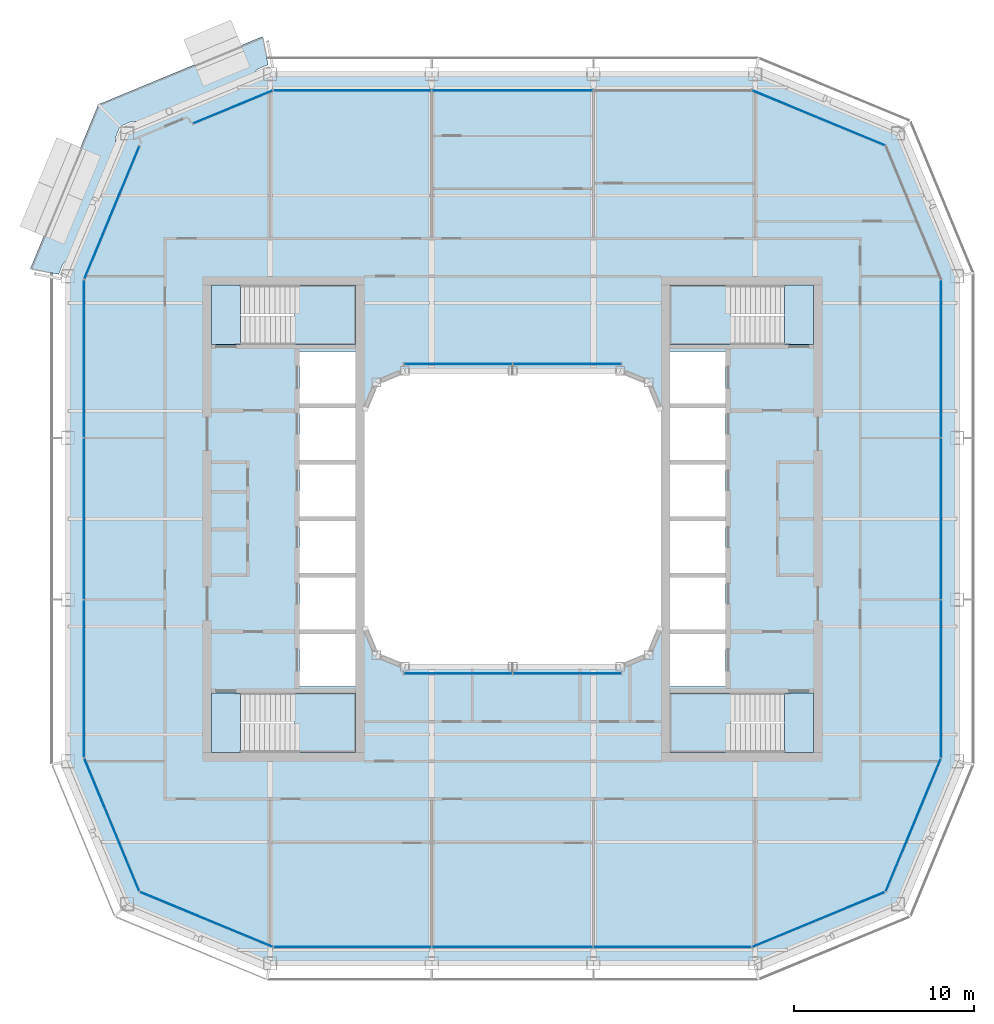
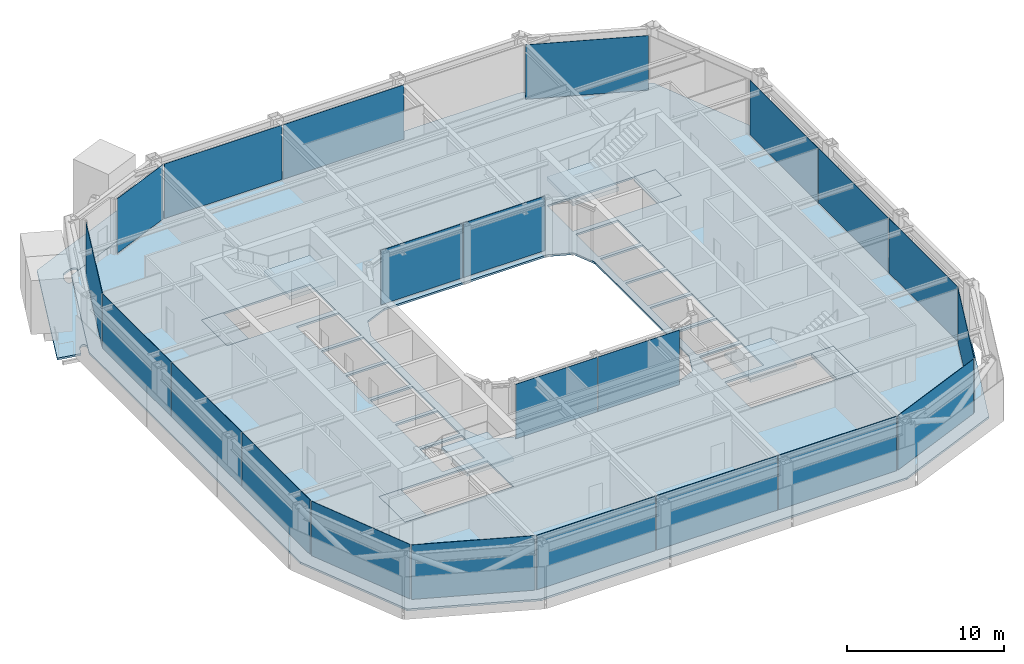
# One storey, part 10 of 21: 22 plates, 10 slabs, 17 elements without a shape of their own.
"""IFC4 building model written with IfcOpenShell, lengths in metres."""

from ifc_helpers import new_model, si_unit, direction, frame, origin, origin_2d, place, context, subcontext, project, spatial, polyline, rectangle, outline, extrude, material, layer, layer_set, type_object, element, aggregate, save


model = new_model("IFC4")

# Units and contexts
model_context = context("Model", 3, precision=1e-05, world=origin(), true_north=direction((0.0, 1.0)))
body_context = subcontext(model_context, "Body", "Model", "MODEL_VIEW")
ifc_project = project(units=[si_unit("LENGTHUNIT", "METRE"), si_unit("AREAUNIT", "SQUARE_METRE"), si_unit("VOLUMEUNIT", "CUBIC_METRE"), si_unit("PLANEANGLEUNIT", "RADIAN"), si_unit("MASSUNIT", "GRAM", prefix="KILO")], contexts=[model_context])

# Site, building, storey
site_placement = place(None, origin())
site = spatial("IfcSite", under=ifc_project, at=site_placement, CompositionType="ELEMENT")
building_placement = place(site_placement, origin())
building = spatial("IfcBuilding", under=site, at=building_placement, Name="Siwar Civic Tower", CompositionType="ELEMENT")
storey_placement = place(building_placement, frame((0.0, 0.0, 312.199951171875)))
storey = spatial("IfcBuildingStorey", under=building, at=storey_placement, Name="L67", CompositionType="ELEMENT", Elevation=312.199951171875)

# Stair, slabs
ifc_material_1 = material(Name="Concrete C40/50", Category="concrete")
stair_type = type_object("IfcStairType", Name="CORE-STAIR", PredefinedType="TWO_STRAIGHT_RUN_STAIR", material=ifc_material_1)
stair_1_placement = place(storey_placement, origin())
stair_1 = element("IfcStair", 1, at=stair_1_placement, inside=storey, type_object=stair_type, Name="Exit stair ST1", PredefinedType="TWO_STRAIGHT_RUN_STAIR")
ifc_material_2 = material(Name="Concrete C40/50", Category="concrete")
ifc_layer_1 = layer(ifc_material_2, 0.300048828125)
ifc_layer_set_1 = layer_set([ifc_layer_1], Name="Concrete C40/50")
slab_type_1 = type_object("IfcSlabType", Name="CORE-STAIR-LANDING", PredefinedType="LANDING", material=ifc_layer_set_1)
slab_1_placement = place(storey_placement, frame((0.0, 0.0, -0.300048828125)))
slab_1 = element("IfcSlab", 2, at=slab_1_placement, type_object=slab_type_1, Name="ST1 landing 1", PredefinedType="LANDING", context=body_context, shape_type="SweptSolid", body=[
    extrude(outline(polyline([(-15.14990234375, 13.0), (-16.75, 13.0), (-16.75, 9.699951171875), (-15.14990234375, 9.699951171875), (-15.14990234375, 13.0)])), origin(), (0.0, 0.0, 1.0), 0.300048828125),
])
slab_2_placement = place(storey_placement, frame((0.0, 0.0, 1.949951171875)))
slab_2 = element("IfcSlab", 3, at=slab_2_placement, type_object=slab_type_1, Name="ST1 landing 2", PredefinedType="LANDING", context=body_context, shape_type="SweptSolid", body=[
    extrude(outline(polyline([(-8.75, 13.0), (-12.139892578125, 13.0), (-12.139892578125, 9.699951171875), (-8.75, 9.699951171875), (-8.75, 13.0)])), origin(), (0.0, 0.0, 1.0), 0.300048828125),
])
aggregate(stair_1, [slab_1, slab_2])

stair_2_placement = place(storey_placement, origin())
stair_2 = element("IfcStair", 4, at=stair_2_placement, inside=storey, type_object=stair_type, Name="Exit stair ST2", PredefinedType="TWO_STRAIGHT_RUN_STAIR")
slab_3_placement = place(storey_placement, frame((0.0, 0.0, -0.300048828125)))
slab_3 = element("IfcSlab", 5, at=slab_3_placement, type_object=slab_type_1, Name="ST2 landing 1", PredefinedType="LANDING", context=body_context, shape_type="SweptSolid", body=[
    extrude(outline(polyline([(-15.14990234375, -9.699951171875), (-16.75, -9.699951171875), (-16.75, -13.0), (-15.14990234375, -13.0), (-15.14990234375, -9.699951171875)])), origin(), (0.0, 0.0, 1.0), 0.300048828125),
])
slab_4_placement = place(storey_placement, frame((0.0, 0.0, 1.949951171875)))
slab_4 = element("IfcSlab", 6, at=slab_4_placement, type_object=slab_type_1, Name="ST2 landing 2", PredefinedType="LANDING", context=body_context, shape_type="SweptSolid", body=[
    extrude(outline(polyline([(-8.75, -9.699951171875), (-12.139892578125, -9.699951171875), (-12.139892578125, -13.0), (-8.75, -13.0), (-8.75, -9.699951171875)])), origin(), (0.0, 0.0, 1.0), 0.300048828125),
])
aggregate(stair_2, [slab_3, slab_4])

stair_3_placement = place(storey_placement, origin())
stair_3 = element("IfcStair", 7, at=stair_3_placement, inside=storey, type_object=stair_type, Name="Exit stair ST3", PredefinedType="TWO_STRAIGHT_RUN_STAIR")
slab_5_placement = place(storey_placement, frame((0.0, 0.0, -0.300048828125)))
slab_5 = element("IfcSlab", 8, at=slab_5_placement, type_object=slab_type_1, Name="ST3 landing 1", PredefinedType="LANDING", context=body_context, shape_type="SweptSolid", body=[
    extrude(outline(polyline([(15.14990234375, 9.699951171875), (16.75, 9.699951171875), (16.75, 13.0), (15.14990234375, 13.0), (15.14990234375, 9.699951171875)])), origin(), (0.0, 0.0, 1.0), 0.300048828125),
])
slab_6_placement = place(storey_placement, frame((0.0, 0.0, 1.949951171875)))
slab_6 = element("IfcSlab", 9, at=slab_6_placement, type_object=slab_type_1, Name="ST3 landing 2", PredefinedType="LANDING", context=body_context, shape_type="SweptSolid", body=[
    extrude(outline(polyline([(8.75, 9.699951171875), (12.139892578125, 9.699951171875), (12.139892578125, 13.0), (8.75, 13.0), (8.75, 9.699951171875)])), origin(), (0.0, 0.0, 1.0), 0.300048828125),
])
aggregate(stair_3, [slab_5, slab_6])

stair_4_placement = place(storey_placement, origin())
stair_4 = element("IfcStair", 10, at=stair_4_placement, inside=storey, type_object=stair_type, Name="Exit stair ST4", PredefinedType="TWO_STRAIGHT_RUN_STAIR")
slab_7_placement = place(storey_placement, frame((0.0, 0.0, -0.300048828125)))
slab_7 = element("IfcSlab", 11, at=slab_7_placement, type_object=slab_type_1, Name="ST4 landing 1", PredefinedType="LANDING", context=body_context, shape_type="SweptSolid", body=[
    extrude(outline(polyline([(15.14990234375, -13.0), (16.75, -13.0), (16.75, -9.699951171875), (15.14990234375, -9.699951171875), (15.14990234375, -13.0)])), origin(), (0.0, 0.0, 1.0), 0.300048828125),
])
slab_8_placement = place(storey_placement, frame((0.0, 0.0, 1.949951171875)))
slab_8 = element("IfcSlab", 12, at=slab_8_placement, type_object=slab_type_1, Name="ST4 landing 2", PredefinedType="LANDING", context=body_context, shape_type="SweptSolid", body=[
    extrude(outline(polyline([(8.75, -13.0), (12.139892578125, -13.0), (12.139892578125, -9.699951171875), (8.75, -9.699951171875), (8.75, -13.0)])), origin(), (0.0, 0.0, 1.0), 0.300048828125),
])
aggregate(stair_4, [slab_7, slab_8])

# Slab
ifc_material_3 = material(Name="Concrete C40/50", Category="concrete")
ifc_layer_2 = layer(ifc_material_3, 0.14990234375)
ifc_layer_set_2 = layer_set([ifc_layer_2], Name="Concrete C40/50")
slab_type_2 = type_object("IfcSlabType", Name="ENV-BALCONY DECK 150", PredefinedType="FLOOR", material=ifc_layer_set_2)
slab_9_placement = place(storey_placement, frame((0.0, 0.0, -0.1494140625)))
element("IfcSlab", 13, at=slab_9_placement, inside=storey, type_object=slab_type_2, Name="Tree balcony deck NW", PredefinedType="FLOOR", context=body_context, shape_type="SweptSolid", body=[
    extrude(outline(polyline([(-21.743896484375, 21.88623046875), (-21.738525390625, 21.888671875), (-21.738525390625, 21.888671875), (-21.72216796875, 21.8955078125), (-21.5908203125, 21.949951171875), (-21.43505859375, 22.014892578125), (-21.3857421875, 22.035400390625), (-21.369384765625, 22.042236328125), (-21.367431640625, 22.04296875), (-21.306396484375, 22.06640625), (-21.3017578125, 22.068115234375), (-21.247802734375, 22.0849609375), (-21.243408203125, 22.086181640625), (-21.1884765625, 22.099853515625), (-21.181396484375, 22.101318359375), (-21.134033203125, 22.108154296875), (-21.1328125, 22.1083984375), (-21.07666015625, 22.11572265625), (-21.070068359375, 22.1162109375), (-21.0634765625, 22.1162109375), (-20.975830078125, 22.112060546875), (-20.965087890625, 22.11083984375), (-20.92578125, 22.103271484375), (-20.91796875, 22.101318359375), (-20.910400390625, 22.0986328125), (-20.8798828125, 22.08544921875), (-20.875732421875, 22.08349609375), (-20.84619140625, 22.068603515625), (-20.839599609375, 22.06494140625), (-20.833251953125, 22.060546875), (-20.82763671875, 22.055419921875), (-20.80712890625, 22.03564453125), (-20.802490234375, 22.030517578125), (-20.798095703125, 22.02490234375), (-20.794189453125, 22.01904296875), (-20.791015625, 22.0126953125), (-20.780029296875, 21.988525390625), (-20.7783203125, 21.984375), (-20.76904296875, 21.959716796875), (-20.7666015625, 21.952880859375), (-20.76513671875, 21.946044921875), (-20.76416015625, 21.93896484375), (-20.763916015625, 21.931884765625), (-20.764404296875, 21.903564453125), (-20.764892578125, 21.89599609375), (-20.76611328125, 21.888427734375), (-20.76806640625, 21.881103515625), (-20.778564453125, 21.849609375), (-20.780029296875, 21.845458984375), (-20.792236328125, 21.814453125), (-20.795654296875, 21.80712890625), (-20.7998046875, 21.800048828125), (-20.822021484375, 21.766845703125), (-20.82861328125, 21.758544921875), (-20.887451171875, 21.693359375), (-20.89208984375, 21.688720703125), (-20.8935546875, 21.6875), (-14.063720703125, 24.516357421875), (-14.103759765625, 24.51123046875), (-14.1103515625, 24.5107421875), (-14.116943359375, 24.5107421875), (-14.20458984375, 24.514892578125), (-14.21533203125, 24.51611328125), (-14.254638671875, 24.523681640625), (-14.262451171875, 24.525634765625), (-14.27001953125, 24.5283203125), (-14.300537109375, 24.54150390625), (-14.3046875, 24.54345703125), (-14.33447265625, 24.558349609375), (-14.341064453125, 24.56201171875), (-14.34716796875, 24.56640625), (-14.352783203125, 24.571533203125), (-14.373291015625, 24.591064453125), (-14.378173828125, 24.596435546875), (-14.382568359375, 24.601806640625), (-14.38623046875, 24.60791015625), (-14.389404296875, 24.6142578125), (-14.400390625, 24.638427734375), (-14.402099609375, 24.642578125), (-14.41162109375, 24.667236328125), (-14.413818359375, 24.674072265625), (-14.415283203125, 24.680908203125), (-14.416259765625, 24.68798828125), (-14.41650390625, 24.695068359375), (-14.416015625, 24.723388671875), (-14.41552734375, 24.73095703125), (-14.414306640625, 24.738525390625), (-14.412353515625, 24.745849609375), (-14.402099609375, 24.77734375), (-14.400634765625, 24.781494140625), (-14.388427734375, 24.8125), (-14.385009765625, 24.81982421875), (-14.380859375, 24.82666015625), (-14.3583984375, 24.860107421875), (-14.351806640625, 24.868408203125), (-14.29296875, 24.93359375), (-14.288330078125, 24.938232421875), (-14.283203125, 24.942626953125), (-14.238525390625, 24.977294921875), (-14.237548828125, 24.97802734375), (-14.19921875, 25.006591796875), (-14.193115234375, 25.0107421875), (-14.144775390625, 25.0400390625), (-14.140869140625, 25.042236328125), (-14.0908203125, 25.068603515625), (-14.08642578125, 25.07080078125), (-14.02685546875, 25.09765625), (-14.02490234375, 25.098388671875), (-14.0166015625, 25.101806640625), (-13.9755859375, 25.118896484375), (-13.795166015625, 25.194091796875), (-13.713134765625, 25.22802734375), (-13.68017578125, 25.24169921875), (-13.65576171875, 25.251953125), (-13.65576171875, 25.251953125), (-13.65576171875, 25.251953125), (-13.65576171875, 25.251953125), (-13.65576171875, 25.251953125), (-13.64794921875, 25.2548828125), (-13.632568359375, 25.25927734375), (-13.625, 25.260986328125), (-13.616943359375, 25.26220703125), (-13.60205078125, 25.26318359375), (-13.917724609375, 26.85009765625), (-23.062255859375, 23.062255859375), (-26.85009765625, 13.917724609375), (-25.2607421875, 13.6015625), (-25.2607421875, 13.61376953125), (-25.2607421875, 13.620361328125), (-25.259765625, 13.627197265625), (-25.258544921875, 13.6337890625), (-25.25537109375, 13.6455078125), (-25.251953125, 13.65576171875), (-25.24169921875, 13.68017578125), (-25.22802734375, 13.713134765625), (-25.194091796875, 13.795166015625), (-25.118896484375, 13.9755859375), (-25.101806640625, 14.0166015625), (-25.098388671875, 14.02490234375), (-25.09765625, 14.02685546875), (-25.07080078125, 14.08642578125), (-25.068603515625, 14.0908203125), (-25.042236328125, 14.140869140625), (-25.0400390625, 14.144775390625), (-25.0107421875, 14.193115234375), (-25.006591796875, 14.19921875), (-24.97802734375, 14.237548828125), (-24.977294921875, 14.238525390625), (-24.942626953125, 14.283203125), (-24.938232421875, 14.288330078125), (-24.93359375, 14.29296875), (-24.868408203125, 14.351806640625), (-24.860107421875, 14.3583984375), (-24.82666015625, 14.380859375), (-24.81982421875, 14.385009765625), (-24.8125, 14.388427734375), (-24.781494140625, 14.400634765625), (-24.77734375, 14.402099609375), (-24.745849609375, 14.412353515625), (-24.738525390625, 14.414306640625), (-24.73095703125, 14.41552734375), (-24.723388671875, 14.416015625), (-24.695068359375, 14.41650390625), (-24.68798828125, 14.416259765625), (-24.680908203125, 14.415283203125), (-24.674072265625, 14.413818359375), (-24.667236328125, 14.41162109375), (-24.642578125, 14.402099609375), (-24.638427734375, 14.400390625), (-24.6142578125, 14.389404296875), (-24.60791015625, 14.38623046875), (-24.601806640625, 14.382568359375), (-24.596435546875, 14.378173828125), (-24.591064453125, 14.373291015625), (-24.571533203125, 14.352783203125), (-24.56640625, 14.34716796875), (-24.56201171875, 14.341064453125), (-24.558349609375, 14.33447265625), (-24.54345703125, 14.3046875), (-24.54150390625, 14.300537109375), (-24.5283203125, 14.27001953125), (-24.525634765625, 14.262451171875), (-24.523681640625, 14.254638671875), (-24.51611328125, 14.21533203125), (-24.514892578125, 14.20458984375), (-24.5107421875, 14.116943359375), (-24.5107421875, 14.1103515625), (-24.51123046875, 14.103759765625), (-24.516357421875, 14.063720703125), (-21.6875, 20.8935546875), (-21.688720703125, 20.89208984375), (-21.693359375, 20.887451171875), (-21.758544921875, 20.82861328125), (-21.766845703125, 20.822021484375), (-21.800048828125, 20.7998046875), (-21.80712890625, 20.795654296875), (-21.814453125, 20.792236328125), (-21.845458984375, 20.780029296875), (-21.849609375, 20.778564453125), (-21.881103515625, 20.76806640625), (-21.888427734375, 20.76611328125), (-21.89599609375, 20.764892578125), (-21.903564453125, 20.764404296875), (-21.931884765625, 20.763916015625), (-21.93896484375, 20.76416015625), (-21.946044921875, 20.76513671875), (-21.952880859375, 20.7666015625), (-21.959716796875, 20.76904296875), (-21.984375, 20.7783203125), (-21.988525390625, 20.780029296875), (-22.0126953125, 20.791015625), (-22.01904296875, 20.794189453125), (-22.02490234375, 20.798095703125), (-22.030517578125, 20.802490234375), (-22.03564453125, 20.80712890625), (-22.055419921875, 20.82763671875), (-22.060546875, 20.833251953125), (-22.06494140625, 20.839599609375), (-22.068603515625, 20.84619140625), (-22.08349609375, 20.875732421875), (-22.08544921875, 20.8798828125), (-22.0986328125, 20.910400390625), (-22.101318359375, 20.91796875), (-22.103271484375, 20.92578125), (-22.11083984375, 20.965087890625), (-22.112060546875, 20.975830078125), (-22.1162109375, 21.0634765625), (-22.1162109375, 21.070068359375), (-22.11572265625, 21.07666015625), (-22.1083984375, 21.1328125), (-22.108154296875, 21.134033203125), (-22.101318359375, 21.181396484375), (-22.099853515625, 21.1884765625), (-22.086181640625, 21.243408203125), (-22.0849609375, 21.247802734375), (-22.068115234375, 21.3017578125), (-22.06640625, 21.306396484375), (-22.04296875, 21.367431640625), (-22.042236328125, 21.369384765625), (-22.035400390625, 21.3857421875), (-22.014892578125, 21.43505859375), (-21.949951171875, 21.5908203125), (-21.922607421875, 21.656494140625), (-21.8955078125, 21.72216796875), (-21.888671875, 21.738525390625), (-21.8837890625, 21.748046875), (-21.87744140625, 21.7587890625), (-21.873779296875, 21.76416015625), (-21.86962890625, 21.76953125), (-21.864990234375, 21.7744140625), (-21.855712890625, 21.783447265625), (-21.850341796875, 21.7880859375), (-21.849609375, 21.78857421875), (-21.84912109375, 21.7890625), (-21.848876953125, 21.7890625), (-21.8466796875, 21.794189453125), (-21.84326171875, 21.800537109375), (-21.839111328125, 21.806396484375), (-21.829833984375, 21.818359375), (-21.829833984375, 21.829833984375), (-21.820556640625, 21.829833984375), (-21.817626953125, 21.833251953125), (-21.801025390625, 21.849365234375), (-21.796875, 21.85302734375), (-21.79248046875, 21.856689453125), (-21.77392578125, 21.869873046875), (-21.76904296875, 21.873046875), (-21.76416015625, 21.875732421875), (-21.743896484375, 21.88623046875)])), origin(), (0.0, 0.0, 1.0), 0.1494140625),
])

# Curtain wall, plates
ifc_material_4 = material(Name="Aluminium and glass", Category="aluminium")
ifc_layer_3 = layer(ifc_material_4, 0.159912109375)
ifc_layer_set_3 = layer_set([ifc_layer_3], Name="Aluminium and glass")
curtain_wall_type_1 = type_object("IfcCurtainWallType", Name="ENV-CW-D", PredefinedType="NOTDEFINED", material=ifc_layer_set_3)
curtain_wall_1_placement = place(storey_placement, origin())
curtain_wall_1 = element("IfcCurtainWall", 14, at=curtain_wall_1_placement, inside=storey, type_object=curtain_wall_type_1, Name="Curtain wall D S", PredefinedType="NOTDEFINED")
ifc_material_5 = material(Name="Glass clear laminated", Category="glass")
ifc_layer_4 = layer(ifc_material_5, 0.030029296875)
ifc_layer_set_4 = layer_set([ifc_layer_4], Name="Glass clear laminated")
plate_type_1 = type_object("IfcPlateType", Name="ENV-PANEL-D", PredefinedType="CURTAIN_PANEL", material=ifc_layer_set_4)
plate_1_placement = place(storey_placement, frame((-8.910400390625, -23.85009765625, 0.10009765625), z_axis=(0.0, 0.0, 1.0), x_axis=(1.0, 0.0, 0.0)))
plate_1 = element("IfcPlate", 15, at=plate_1_placement, type_object=plate_type_1, Name="Curtain panel D S 1", PredefinedType="CURTAIN_PANEL", context=body_context, shape_type="SweptSolid", body=[
    extrude(rectangle(XDim=8.760986328125, YDim=0.030029296875, at=origin_2d()), origin(), (0.0, 0.0, 1.0), 4.25),
])
plate_2_placement = place(storey_placement, frame((0.0, -23.85009765625, 0.10009765625), z_axis=(0.0, 0.0, 1.0), x_axis=(1.0, 0.0, 0.0)))
plate_2 = element("IfcPlate", 16, at=plate_2_placement, type_object=plate_type_1, Name="Curtain panel D S 2", PredefinedType="CURTAIN_PANEL", context=body_context, shape_type="SweptSolid", body=[
    extrude(rectangle(XDim=8.93994140625, YDim=0.030029296875, at=origin_2d()), origin(), (0.0, 0.0, 1.0), 4.25),
])
plate_3_placement = place(storey_placement, frame((8.876708984375, -23.85009765625, 0.10009765625), z_axis=(0.0, 0.0, 1.0), x_axis=(1.0, 0.0, 0.0)))
plate_3 = element("IfcPlate", 17, at=plate_3_placement, type_object=plate_type_1, Name="Curtain panel D S 3", PredefinedType="CURTAIN_PANEL", context=body_context, shape_type="SweptSolid", body=[
    extrude(rectangle(XDim=8.693115234375, YDim=0.030029296875, at=origin_2d()), origin(), (0.0, 0.0, 1.0), 4.25),
])
aggregate(curtain_wall_1, [plate_1, plate_2, plate_3])

curtain_wall_2_placement = place(storey_placement, origin())
curtain_wall_2 = element("IfcCurtainWall", 18, at=curtain_wall_2_placement, inside=storey, type_object=curtain_wall_type_1, Name="Curtain wall D E", PredefinedType="NOTDEFINED")
plate_4_placement = place(storey_placement, frame((23.85009765625, -8.910400390625, 0.10009765625), z_axis=(0.0, 0.0, 1.0), x_axis=(0.0, 1.0, 0.0)))
plate_4 = element("IfcPlate", 19, at=plate_4_placement, type_object=plate_type_1, Name="Curtain panel D E 1", PredefinedType="CURTAIN_PANEL", context=body_context, shape_type="SweptSolid", body=[
    extrude(rectangle(XDim=8.760986328125, YDim=0.030029296875, at=origin_2d()), origin(), (0.0, 0.0, 1.0), 4.25),
])
plate_5_placement = place(storey_placement, frame((23.85009765625, 0.0, 0.10009765625), z_axis=(0.0, 0.0, 1.0), x_axis=(0.0, 1.0, 0.0)))
plate_5 = element("IfcPlate", 20, at=plate_5_placement, type_object=plate_type_1, Name="Curtain panel D E 2", PredefinedType="CURTAIN_PANEL", context=body_context, shape_type="SweptSolid", body=[
    extrude(rectangle(XDim=8.93994140625, YDim=0.030029296875, at=origin_2d()), origin(), (0.0, 0.0, 1.0), 4.25),
])
plate_6_placement = place(storey_placement, frame((23.85009765625, 8.876708984375, 0.10009765625), z_axis=(0.0, 0.0, 1.0), x_axis=(0.0, 1.0, 0.0)))
plate_6 = element("IfcPlate", 21, at=plate_6_placement, type_object=plate_type_1, Name="Curtain panel D E 3", PredefinedType="CURTAIN_PANEL", context=body_context, shape_type="SweptSolid", body=[
    extrude(rectangle(XDim=8.693115234375, YDim=0.030029296875, at=origin_2d()), origin(), (0.0, 0.0, 1.0), 4.25),
])
aggregate(curtain_wall_2, [plate_4, plate_5, plate_6])

curtain_wall_3_placement = place(storey_placement, origin())
curtain_wall_3 = element("IfcCurtainWall", 22, at=curtain_wall_3_placement, inside=storey, type_object=curtain_wall_type_1, Name="Curtain wall D N", PredefinedType="NOTDEFINED")
plate_7_placement = place(storey_placement, frame((0.0, 23.85009765625, 0.10009765625), z_axis=(0.0, 0.0, 1.0), x_axis=(-1.0, 0.0, 0.0)))
plate_7 = element("IfcPlate", 23, at=plate_7_placement, type_object=plate_type_1, Name="Curtain panel D N 2", PredefinedType="CURTAIN_PANEL", context=body_context, shape_type="SweptSolid", body=[
    extrude(rectangle(XDim=8.93994140625, YDim=0.030029296875, at=origin_2d()), origin(), (0.0, 0.0, 1.0), 4.25),
])
plate_8_placement = place(storey_placement, frame((-8.876708984375, 23.85009765625, 0.10009765625), z_axis=(0.0, 0.0, 1.0), x_axis=(-1.0, 0.0, 0.0)))
plate_8 = element("IfcPlate", 24, at=plate_8_placement, type_object=plate_type_1, Name="Curtain panel D N 3", PredefinedType="CURTAIN_PANEL", context=body_context, shape_type="SweptSolid", body=[
    extrude(rectangle(XDim=8.693115234375, YDim=0.030029296875, at=origin_2d()), origin(), (0.0, 0.0, 1.0), 4.25),
])
aggregate(curtain_wall_3, [plate_7, plate_8])

curtain_wall_4_placement = place(storey_placement, origin())
curtain_wall_4 = element("IfcCurtainWall", 25, at=curtain_wall_4_placement, inside=storey, type_object=curtain_wall_type_1, Name="Curtain wall D W", PredefinedType="NOTDEFINED")
plate_9_placement = place(storey_placement, frame((-23.85009765625, 8.910400390625, 0.10009765625), z_axis=(0.0, 0.0, 1.0), x_axis=(0.0, -1.0, 0.0)))
plate_9 = element("IfcPlate", 26, at=plate_9_placement, type_object=plate_type_1, Name="Curtain panel D W 1", PredefinedType="CURTAIN_PANEL", context=body_context, shape_type="SweptSolid", body=[
    extrude(rectangle(XDim=8.760986328125, YDim=0.030029296875, at=origin_2d()), origin(), (0.0, 0.0, 1.0), 4.25),
])
plate_10_placement = place(storey_placement, frame((-23.85009765625, 0.0, 0.10009765625), z_axis=(0.0, 0.0, 1.0), x_axis=(0.0, -1.0, 0.0)))
plate_10 = element("IfcPlate", 27, at=plate_10_placement, type_object=plate_type_1, Name="Curtain panel D W 2", PredefinedType="CURTAIN_PANEL", context=body_context, shape_type="SweptSolid", body=[
    extrude(rectangle(XDim=8.93994140625, YDim=0.030029296875, at=origin_2d()), origin(), (0.0, 0.0, 1.0), 4.25),
])
plate_11_placement = place(storey_placement, frame((-23.85009765625, -8.876708984375, 0.10009765625), z_axis=(0.0, 0.0, 1.0), x_axis=(0.0, -1.0, 0.0)))
plate_11 = element("IfcPlate", 28, at=plate_11_placement, type_object=plate_type_1, Name="Curtain panel D W 3", PredefinedType="CURTAIN_PANEL", context=body_context, shape_type="SweptSolid", body=[
    extrude(rectangle(XDim=8.693115234375, YDim=0.030029296875, at=origin_2d()), origin(), (0.0, 0.0, 1.0), 4.25),
])
aggregate(curtain_wall_4, [plate_9, plate_10, plate_11])

# Curtain wall, plate
ifc_material_6 = material(Name="Aluminium clad insulated panel", Category="aluminium")
ifc_layer_5 = layer(ifc_material_6, 0.159912109375)
ifc_layer_set_5 = layer_set([ifc_layer_5], Name="Aluminium clad insulated panel")
curtain_wall_type_2 = type_object("IfcCurtainWallType", Name="ENV-CW-DX", PredefinedType="NOTDEFINED", material=ifc_layer_set_5)
curtain_wall_5_placement = place(storey_placement, origin())
curtain_wall_5 = element("IfcCurtainWall", 29, at=curtain_wall_5_placement, inside=storey, type_object=curtain_wall_type_2, Name="Curtain wall D SE1", PredefinedType="NOTDEFINED")
ifc_material_7 = material(Name="Aluminium clad insulated panel", Category="aluminium")
ifc_layer_6 = layer(ifc_material_7, 0.030029296875)
ifc_layer_set_6 = layer_set([ifc_layer_6], Name="Aluminium clad insulated panel")
plate_type_2 = type_object("IfcPlateType", Name="ENV-PANEL-DX", PredefinedType="CURTAIN_PANEL", material=ifc_layer_set_6)
plate_12_placement = place(storey_placement, frame((17.01220703125, -22.321044921875, 0.10009765625), z_axis=(0.0, 0.0, 1.0), x_axis=(0.923879532511, 0.382683432365, 0.0)))
plate_12 = element("IfcPlate", 30, at=plate_12_placement, type_object=plate_type_2, Name="Curtain panel D SE1 1", PredefinedType="CURTAIN_PANEL", context=body_context, shape_type="SweptSolid", body=[
    extrude(rectangle(XDim=7.9306640625, YDim=0.030029296875, at=origin_2d()), origin(), (0.0, 0.0, 1.0), 4.25),
])
aggregate(curtain_wall_5, [plate_12])

curtain_wall_6_placement = place(storey_placement, origin())
curtain_wall_6 = element("IfcCurtainWall", 31, at=curtain_wall_6_placement, inside=storey, type_object=curtain_wall_type_2, Name="Curtain wall D SE2", PredefinedType="NOTDEFINED")
plate_13_placement = place(storey_placement, frame((22.295166015625, -17.074951171875, 0.10009765625), z_axis=(0.0, 0.0, 1.0), x_axis=(0.382683432365, 0.923879532511, 0.0)))
plate_13 = element("IfcPlate", 32, at=plate_13_placement, type_object=plate_type_2, Name="Curtain panel D SE2 1", PredefinedType="CURTAIN_PANEL", context=body_context, shape_type="SweptSolid", body=[
    extrude(rectangle(XDim=7.9306640625, YDim=0.030029296875, at=origin_2d()), origin(), (0.0, 0.0, 1.0), 4.25),
])
aggregate(curtain_wall_6, [plate_13])

curtain_wall_7_placement = place(storey_placement, origin())
curtain_wall_7 = element("IfcCurtainWall", 33, at=curtain_wall_7_placement, inside=storey, type_object=curtain_wall_type_2, Name="Curtain wall D NE2", PredefinedType="NOTDEFINED")
plate_14_placement = place(storey_placement, frame((17.074951171875, 22.295166015625, 0.10009765625), z_axis=(0.0, 0.0, 1.0), x_axis=(-0.923879532511, 0.382683432365, 0.0)))
plate_14 = element("IfcPlate", 34, at=plate_14_placement, type_object=plate_type_2, Name="Curtain panel D NE2 1", PredefinedType="CURTAIN_PANEL", context=body_context, shape_type="SweptSolid", body=[
    extrude(rectangle(XDim=7.9306640625, YDim=0.030029296875, at=origin_2d()), origin(), (0.0, 0.0, 1.0), 4.25),
])
aggregate(curtain_wall_7, [plate_14])

curtain_wall_8_placement = place(storey_placement, origin())
curtain_wall_8 = element("IfcCurtainWall", 35, at=curtain_wall_8_placement, inside=storey, type_object=curtain_wall_type_2, Name="Curtain wall D NW1", PredefinedType="NOTDEFINED")
plate_15_placement = place(storey_placement, frame((-15.56005859375, 22.922607421875, 0.10009765625), z_axis=(0.0, 0.0, 1.0), x_axis=(-0.923879532511, -0.382683432365, 0.0)))
plate_15 = element("IfcPlate", 36, at=plate_15_placement, type_object=plate_type_2, Name="Curtain panel D NW1 1", PredefinedType="CURTAIN_PANEL", context=body_context, shape_type="SweptSolid", body=[
    extrude(rectangle(XDim=4.787109375, YDim=0.030029296875, at=origin_2d()), origin(), (0.0, 0.0, 1.0), 4.25),
])
aggregate(curtain_wall_8, [plate_15])

curtain_wall_9_placement = place(storey_placement, origin())
curtain_wall_9 = element("IfcCurtainWall", 37, at=curtain_wall_9_placement, inside=storey, type_object=curtain_wall_type_2, Name="Curtain wall D NW2", PredefinedType="NOTDEFINED")
plate_16_placement = place(storey_placement, frame((-22.295166015625, 17.074951171875, 0.10009765625), z_axis=(0.0, 0.0, 1.0), x_axis=(-0.382683432365, -0.923879532511, 0.0)))
plate_16 = element("IfcPlate", 38, at=plate_16_placement, type_object=plate_type_2, Name="Curtain panel D NW2 1", PredefinedType="CURTAIN_PANEL", context=body_context, shape_type="SweptSolid", body=[
    extrude(rectangle(XDim=7.9306640625, YDim=0.030029296875, at=origin_2d()), origin(), (0.0, 0.0, 1.0), 4.25),
])
aggregate(curtain_wall_9, [plate_16])

curtain_wall_10_placement = place(storey_placement, origin())
curtain_wall_10 = element("IfcCurtainWall", 39, at=curtain_wall_10_placement, inside=storey, type_object=curtain_wall_type_2, Name="Curtain wall D SW1", PredefinedType="NOTDEFINED")
plate_17_placement = place(storey_placement, frame((-22.321044921875, -17.01220703125, 0.10009765625), z_axis=(0.0, 0.0, 1.0), x_axis=(0.382683432365, -0.923879532511, 0.0)))
plate_17 = element("IfcPlate", 40, at=plate_17_placement, type_object=plate_type_2, Name="Curtain panel D SW1 1", PredefinedType="CURTAIN_PANEL", context=body_context, shape_type="SweptSolid", body=[
    extrude(rectangle(XDim=7.9306640625, YDim=0.030029296875, at=origin_2d()), origin(), (0.0, 0.0, 1.0), 4.25),
])
aggregate(curtain_wall_10, [plate_17])

curtain_wall_11_placement = place(storey_placement, origin())
curtain_wall_11 = element("IfcCurtainWall", 41, at=curtain_wall_11_placement, inside=storey, type_object=curtain_wall_type_2, Name="Curtain wall D SW2", PredefinedType="NOTDEFINED")
plate_18_placement = place(storey_placement, frame((-17.074951171875, -22.295166015625, 0.10009765625), z_axis=(0.0, 0.0, 1.0), x_axis=(0.923879532511, -0.382683432365, 0.0)))
plate_18 = element("IfcPlate", 42, at=plate_18_placement, type_object=plate_type_2, Name="Curtain panel D SW2 1", PredefinedType="CURTAIN_PANEL", context=body_context, shape_type="SweptSolid", body=[
    extrude(rectangle(XDim=7.9306640625, YDim=0.030029296875, at=origin_2d()), origin(), (0.0, 0.0, 1.0), 4.25),
])
aggregate(curtain_wall_11, [plate_18])

# Curtain wall, plates
ifc_material_8 = material(Name="Aluminium and glass", Category="aluminium")
ifc_layer_7 = layer(ifc_material_8, 0.179931640625)
ifc_layer_set_7 = layer_set([ifc_layer_7], Name="Aluminium and glass")
curtain_wall_type_3 = type_object("IfcCurtainWallType", Name="ENV-CW-W", PredefinedType="NOTDEFINED", material=ifc_layer_set_7)
curtain_wall_12_placement = place(storey_placement, origin())
curtain_wall_12 = element("IfcCurtainWall", 43, at=curtain_wall_12_placement, inside=storey, type_object=curtain_wall_type_3, Name="Curtain wall W WS", PredefinedType="NOTDEFINED")
ifc_material_9 = material(Name="Glass clear laminated", Category="glass")
ifc_layer_8 = layer(ifc_material_9, 0.031982421875)
ifc_layer_set_8 = layer_set([ifc_layer_8], Name="Glass clear laminated")
plate_type_3 = type_object("IfcPlateType", Name="ENV-PANEL-W", PredefinedType="CURTAIN_PANEL", material=ifc_layer_set_8)
plate_19_placement = place(storey_placement, frame((-3.035888671875, -8.610107421875, 0.10009765625), z_axis=(0.0, 0.0, 1.0), x_axis=(1.0, 0.0, 0.0)))
plate_19 = element("IfcPlate", 44, at=plate_19_placement, type_object=plate_type_3, Name="Curtain panel W WS 1", PredefinedType="CURTAIN_PANEL", context=body_context, shape_type="SweptSolid", body=[
    extrude(rectangle(XDim=6.01171875, YDim=0.031982421875, at=origin_2d()), origin(), (0.0, 0.0, 1.0), 4.25),
])
plate_20_placement = place(storey_placement, frame((3.035888671875, -8.610107421875, 0.10009765625), z_axis=(0.0, 0.0, 1.0), x_axis=(1.0, 0.0, 0.0)))
plate_20 = element("IfcPlate", 45, at=plate_20_placement, type_object=plate_type_3, Name="Curtain panel W WS 2", PredefinedType="CURTAIN_PANEL", context=body_context, shape_type="SweptSolid", body=[
    extrude(rectangle(XDim=6.01171875, YDim=0.031982421875, at=origin_2d()), origin(), (0.0, 0.0, 1.0), 4.25),
])
aggregate(curtain_wall_12, [plate_19, plate_20])

curtain_wall_13_placement = place(storey_placement, origin())
curtain_wall_13 = element("IfcCurtainWall", 46, at=curtain_wall_13_placement, inside=storey, type_object=curtain_wall_type_3, Name="Curtain wall W WN", PredefinedType="NOTDEFINED")
plate_21_placement = place(storey_placement, frame((3.035888671875, 8.610107421875, 0.10009765625), z_axis=(0.0, 0.0, 1.0), x_axis=(-1.0, 0.0, 0.0)))
plate_21 = element("IfcPlate", 47, at=plate_21_placement, type_object=plate_type_3, Name="Curtain panel W WN 1", PredefinedType="CURTAIN_PANEL", context=body_context, shape_type="SweptSolid", body=[
    extrude(rectangle(XDim=6.01171875, YDim=0.031982421875, at=origin_2d()), origin(), (0.0, 0.0, 1.0), 4.25),
])
plate_22_placement = place(storey_placement, frame((-3.035888671875, 8.610107421875, 0.10009765625), z_axis=(0.0, 0.0, 1.0), x_axis=(-1.0, 0.0, 0.0)))
plate_22 = element("IfcPlate", 48, at=plate_22_placement, type_object=plate_type_3, Name="Curtain panel W WN 2", PredefinedType="CURTAIN_PANEL", context=body_context, shape_type="SweptSolid", body=[
    extrude(rectangle(XDim=6.01171875, YDim=0.031982421875, at=origin_2d()), origin(), (0.0, 0.0, 1.0), 4.25),
])
aggregate(curtain_wall_13, [plate_21, plate_22])

# Slab
ifc_material_10 = material(Name="Concrete C40/50", Category="concrete")
ifc_layer_9 = layer(ifc_material_10, 0.14990234375)
ifc_layer_set_9 = layer_set([ifc_layer_9], Name="Concrete C40/50")
slab_type_3 = type_object("IfcSlabType", Name="STR-FLOOR-DECK-150", PredefinedType="FLOOR", material=ifc_layer_set_9)
slab_10_placement = place(storey_placement, frame((0.0, 0.0, -0.14990234375)))
element("IfcSlab", 49, at=slab_10_placement, inside=storey, type_object=slab_type_3, Name="L67/slab/1", PredefinedType="FLOOR", context=body_context, shape_type="SweptSolid", body=[
    extrude(outline(polyline([(-13.5, -24.75), (13.5, -24.75), (21.454833984375, -21.454833984375), (24.75, -13.5), (24.75, 13.5), (21.454833984375, 21.454833984375), (13.5, 24.75), (-13.5, 24.75), (-21.454833984375, 21.454833984375), (-24.75, 13.5), (-24.75, -13.5), (-21.454833984375, -21.454833984375), (-13.5, -24.75)]), holes=[polyline([(16.75, 13.0), (16.75, 9.699951171875), (8.75, 9.699951171875), (8.75, 13.0), (16.75, 13.0)]), polyline([(8.75, -9.699951171875), (16.75, -9.699951171875), (16.75, -13.0), (8.75, -13.0), (8.75, -9.699951171875)]), polyline([(11.85009765625, 9.324951171875), (11.85009765625, 6.425048828125), (8.75, 6.425048828125), (8.75, 9.324951171875), (11.85009765625, 9.324951171875)]), polyline([(8.75, 6.175048828125), (11.85009765625, 6.175048828125), (11.85009765625, 3.27490234375), (8.75, 3.27490234375), (8.75, 6.175048828125)]), polyline([(8.75, 3.02490234375), (11.85009765625, 3.02490234375), (11.85009765625, 0.125), (8.75, 0.125), (8.75, 3.02490234375)]), polyline([(8.75, -0.125), (11.85009765625, -0.125), (11.85009765625, -3.02490234375), (8.75, -3.02490234375), (8.75, -0.125)]), polyline([(8.75, -3.27490234375), (11.85009765625, -3.27490234375), (11.85009765625, -6.175048828125), (8.75, -6.175048828125), (8.75, -3.27490234375)]), polyline([(8.75, -6.425048828125), (11.85009765625, -6.425048828125), (11.85009765625, -9.324951171875), (8.75, -9.324951171875), (8.75, -6.425048828125)]), polyline([(-6.0, 8.25), (6.0, 8.25), (7.591064453125, 7.591064453125), (8.25, 6.0), (8.25, -6.0), (7.591064453125, -7.591064453125), (6.0, -8.25), (-6.0, -8.25), (-7.591064453125, -7.591064453125), (-8.25, -6.0), (-8.25, 6.0), (-7.591064453125, 7.591064453125), (-6.0, 8.25)]), polyline([(-8.75, -13.0), (-16.75, -13.0), (-16.75, -9.699951171875), (-8.75, -9.699951171875), (-8.75, -13.0)]), polyline([(-8.75, 9.699951171875), (-16.75, 9.699951171875), (-16.75, 13.0), (-8.75, 13.0), (-8.75, 9.699951171875)]), polyline([(-8.75, 6.425048828125), (-11.85009765625, 6.425048828125), (-11.85009765625, 9.324951171875), (-8.75, 9.324951171875), (-8.75, 6.425048828125)]), polyline([(-8.75, 3.27490234375), (-11.85009765625, 3.27490234375), (-11.85009765625, 6.175048828125), (-8.75, 6.175048828125), (-8.75, 3.27490234375)]), polyline([(-8.75, 0.125), (-11.85009765625, 0.125), (-11.85009765625, 3.02490234375), (-8.75, 3.02490234375), (-8.75, 0.125)]), polyline([(-8.75, -3.02490234375), (-11.85009765625, -3.02490234375), (-11.85009765625, -0.125), (-8.75, -0.125), (-8.75, -3.02490234375)]), polyline([(-8.75, -6.175048828125), (-11.85009765625, -6.175048828125), (-11.85009765625, -3.27490234375), (-8.75, -3.27490234375), (-8.75, -6.175048828125)]), polyline([(-8.75, -9.324951171875), (-11.85009765625, -9.324951171875), (-11.85009765625, -6.425048828125), (-8.75, -6.425048828125), (-8.75, -9.324951171875)])]), origin(), (0.0, 0.0, 1.0), 0.14990234375),
])

save(model, "model.ifc")
